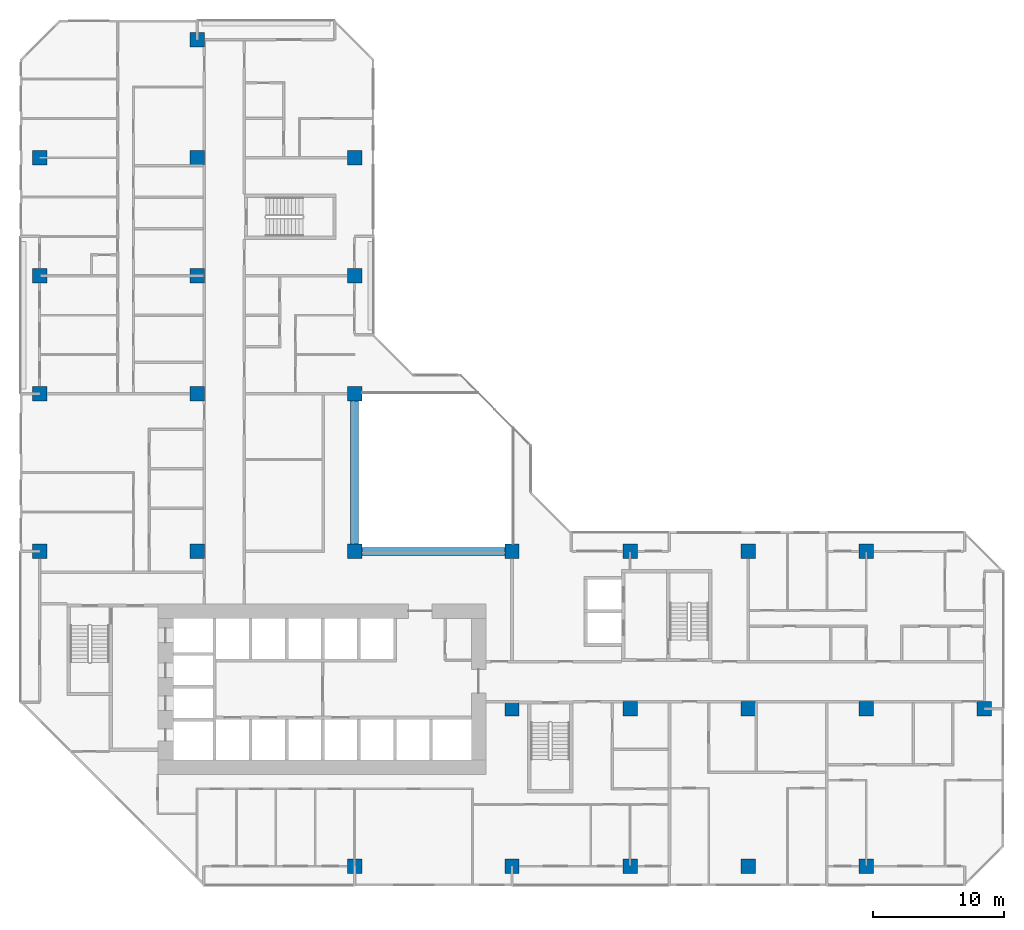
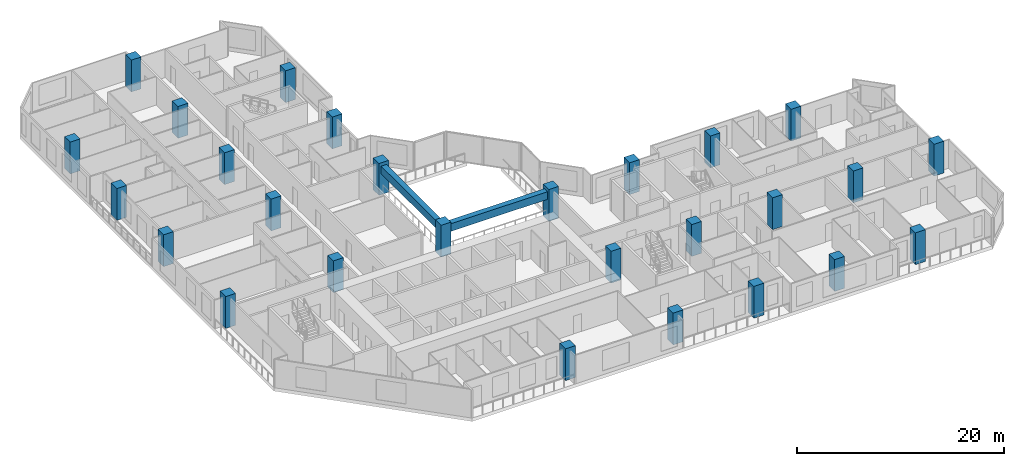
# One storey, part 1 of 15: 27 columns, 2 beams.
"""IFC4 building model written with IfcOpenShell, lengths in metres."""

from ifc_helpers import new_model, si_unit, direction, frame, origin, origin_2d, place, context, subcontext, project, spatial, rectangle, extrude, material, material_profile, profile_set, type_object, element, save


model = new_model("IFC4")

# Units and contexts
model_context = context("Model", 3, precision=1e-05, world=origin(), true_north=direction((0.0, 1.0)))
body_context = subcontext(model_context, "Body", "Model", "MODEL_VIEW")
ifc_project = project(units=[si_unit("LENGTHUNIT", "METRE"), si_unit("AREAUNIT", "SQUARE_METRE"), si_unit("VOLUMEUNIT", "CUBIC_METRE"), si_unit("PLANEANGLEUNIT", "RADIAN"), si_unit("MASSUNIT", "GRAM", prefix="KILO")], contexts=[model_context])

# Site, building, storey
site_placement = place(None, origin())
site = spatial("IfcSite", under=ifc_project, at=site_placement, CompositionType="ELEMENT")
building_placement = place(site_placement, origin())
building = spatial("IfcBuilding", under=site, at=building_placement, Name="Chenar Terraces", CompositionType="ELEMENT")
storey_placement = place(building_placement, frame((0.0, 0.0, 60.14990234375)))
storey = spatial("IfcBuildingStorey", under=building, at=storey_placement, Name="L12", CompositionType="ELEMENT", Elevation=60.14990234375)

# Columns
ifc_material_1 = material(Name="Concrete C70/85", Category="concrete")
ifc_material_profile_1 = material_profile(ifc_material_1, rectangle(XDim=1.10009765625, YDim=1.10009765625, at=origin_2d()), Name="C 1100 x 1100")
ifc_profile_set_1 = profile_set([ifc_material_profile_1], Name="Concrete C70/85")
column_type = type_object("IfcColumnType", Name="Column C 1100 x 1100 Concrete C70/85", PredefinedType="COLUMN", material=ifc_profile_set_1)
column_1_placement = place(storey_placement, frame((0.0, 24.0, 0.0), z_axis=(0.0, 0.0, 1.0), x_axis=(1.0, 0.0, 0.0)))
element("IfcColumn", 1, at=column_1_placement, inside=storey, type_object=column_type, Name="Column 5/G L12", PredefinedType="COLUMN", context=body_context, shape_type="SweptSolid", body=[
    extrude(rectangle(XDim=1.10009765625, YDim=1.10009765625, at=origin_2d()), origin(), (0.0, 0.0, 1.0), 3.75),
])
column_2_placement = place(storey_placement, frame((0.0, 36.0, 0.0), z_axis=(0.0, 0.0, 1.0), x_axis=(1.0, 0.0, 0.0)))
element("IfcColumn", 2, at=column_2_placement, inside=storey, type_object=column_type, Name="Column 5/H L12", PredefinedType="COLUMN", context=body_context, shape_type="SweptSolid", body=[
    extrude(rectangle(XDim=1.10009765625, YDim=1.10009765625, at=origin_2d()), origin(), (0.0, 0.0, 1.0), 3.75),
])
column_3_placement = place(storey_placement, frame((0.0, 45.0, 0.0), z_axis=(0.0, 0.0, 1.0), x_axis=(1.0, 0.0, 0.0)))
element("IfcColumn", 3, at=column_3_placement, inside=storey, type_object=column_type, Name="Column 5/J L12", PredefinedType="COLUMN", context=body_context, shape_type="SweptSolid", body=[
    extrude(rectangle(XDim=1.10009765625, YDim=1.10009765625, at=origin_2d()), origin(), (0.0, 0.0, 1.0), 3.75),
])
column_4_placement = place(storey_placement, frame((0.0, 54.0, 0.0), z_axis=(0.0, 0.0, 1.0), x_axis=(1.0, 0.0, 0.0)))
element("IfcColumn", 4, at=column_4_placement, inside=storey, type_object=column_type, Name="Column 5/K L12", PredefinedType="COLUMN", context=body_context, shape_type="SweptSolid", body=[
    extrude(rectangle(XDim=1.10009765625, YDim=1.10009765625, at=origin_2d()), origin(), (0.0, 0.0, 1.0), 3.75),
])
for number, where, z_axis, x_axis, name in (
    (5, (12.0, 24.0, 0.0), (0.0, 0.0, 1.0), (1.0, 0.0, 0.0), "Column 6/G L12"),
    (6, (12.0, 36.0, 0.0), (0.0, 0.0, 1.0), (1.0, 0.0, 0.0), "Column 6/H L12"),
    (7, (12.0, 45.0, 0.0), (0.0, 0.0, 1.0), (1.0, 0.0, 0.0), "Column 6/J L12"),
    (8, (12.0, 54.0, 0.0), (0.0, 0.0, 1.0), (1.0, 0.0, 0.0), "Column 6/K L12"),
    (9, (12.0, 63.0, 0.0), (0.0, 0.0, 1.0), (1.0, 0.0, 0.0), "Column 6/L L12"),
    (10, (24.0, 0.0, 0.0), (0.0, 0.0, 1.0), (1.0, 0.0, 0.0), "Column 7/E L12"),
    (11, (24.0, 24.0, 0.0), (0.0, 0.0, 1.0), (1.0, 0.0, 0.0), "Column 7/G L12"),
    (12, (24.0, 36.0, 0.0), (0.0, 0.0, 1.0), (1.0, 0.0, 0.0), "Column 7/H L12"),
    (13, (24.0, 45.0, 0.0), (0.0, 0.0, 1.0), (1.0, 0.0, 0.0), "Column 7/J L12"),
    (14, (24.0, 54.0, 0.0), (0.0, 0.0, 1.0), (1.0, 0.0, 0.0), "Column 7/K L12"),
    (15, (36.0, 0.0, 0.0), (0.0, 0.0, 1.0), (1.0, 0.0, 0.0), "Column 8/E L12"),
    (16, (36.0, 12.0, 0.0), (0.0, 0.0, 1.0), (1.0, 0.0, 0.0), "Column 8/F L12"),
    (17, (36.0, 24.0, 0.0), (0.0, 0.0, 1.0), (1.0, 0.0, 0.0), "Column 8/G L12"),
    (18, (45.0, 0.0, 0.0), (0.0, 0.0, 1.0), (1.0, 0.0, 0.0), "Column 9/E L12"),
    (19, (45.0, 12.0, 0.0), (0.0, 0.0, 1.0), (1.0, 0.0, 0.0), "Column 9/F L12"),
    (20, (45.0, 24.0, 0.0), (0.0, 0.0, 1.0), (1.0, 0.0, 0.0), "Column 9/G L12"),
    (21, (54.0, 0.0, 0.0), (0.0, 0.0, 1.0), (1.0, 0.0, 0.0), "Column 10/E L12"),
    (22, (54.0, 12.0, 0.0), (0.0, 0.0, 1.0), (1.0, 0.0, 0.0), "Column 10/F L12"),
    (23, (54.0, 24.0, 0.0), (0.0, 0.0, 1.0), (1.0, 0.0, 0.0), "Column 10/G L12"),
    (24, (63.0, 0.0, 0.0), (0.0, 0.0, 1.0), (1.0, 0.0, 0.0), "Column 11/E L12"),
    (25, (63.0, 12.0, 0.0), (0.0, 0.0, 1.0), (1.0, 0.0, 0.0), "Column 11/F L12"),
    (26, (63.0, 24.0, 0.0), (0.0, 0.0, 1.0), (1.0, 0.0, 0.0), "Column 11/G L12"),
    (27, (72.0, 12.0, 0.0), (0.0, 0.0, 1.0), (1.0, 0.0, 0.0), "Column 12/F L12"),
):
    element("IfcColumn", number, at=place(storey_placement, frame(where, z_axis=z_axis, x_axis=x_axis)), inside=storey, type_object=column_type, Name=name, PredefinedType="COLUMN", context=body_context, shape_type="SweptSolid", body=[
        extrude(rectangle(XDim=1.10009765625, YDim=1.10009765625, at=origin_2d()), origin(), (0.0, 0.0, 1.0), 3.75),
    ])

# Beams
ifc_material_2 = material(Name="Concrete C40/50", Category="concrete")
ifc_material_profile_2 = material_profile(ifc_material_2, rectangle(XDim=0.60009765625, YDim=0.89990234375, at=origin_2d()), Name="RC 600 x 900")
ifc_profile_set_2 = profile_set([ifc_material_profile_2], Name="Concrete C40/50")
beam_type = type_object("IfcBeamType", Name="Atrium edge beam 600 x 900 Concrete C40/50", PredefinedType="BEAM", material=ifc_profile_set_2)
for number, where, z_axis, x_axis, name in (
    (28, (24.550048828125, 24.0, 2.900146484375), (1.0, 0.0, 0.0), (0.0, 1.0, 0.0), "Atrium edge beam L13 1"),
    (29, (24.0, 35.449951171875, 2.900146484375), (0.0, -1.0, 0.0), (1.0, 0.0, 0.0), "Atrium edge beam L13 4"),
):
    element("IfcBeam", number, at=place(storey_placement, frame(where, z_axis=z_axis, x_axis=x_axis)), inside=storey, type_object=beam_type, Name=name, PredefinedType="BEAM", context=body_context, shape_type="SweptSolid", body=[
        extrude(rectangle(XDim=0.60009765625, YDim=0.89990234375, at=origin_2d()), origin(), (0.0, 0.0, 1.0), 10.89990234375),
    ])

save(model, "model.ifc")
